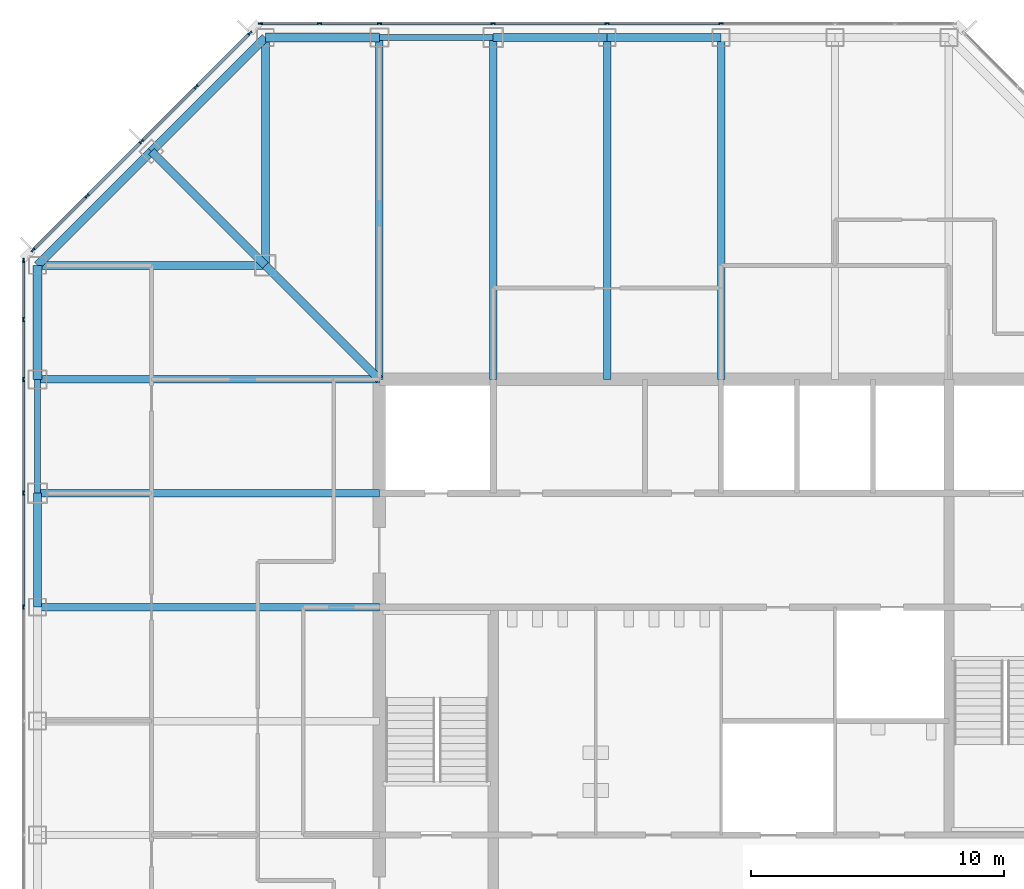
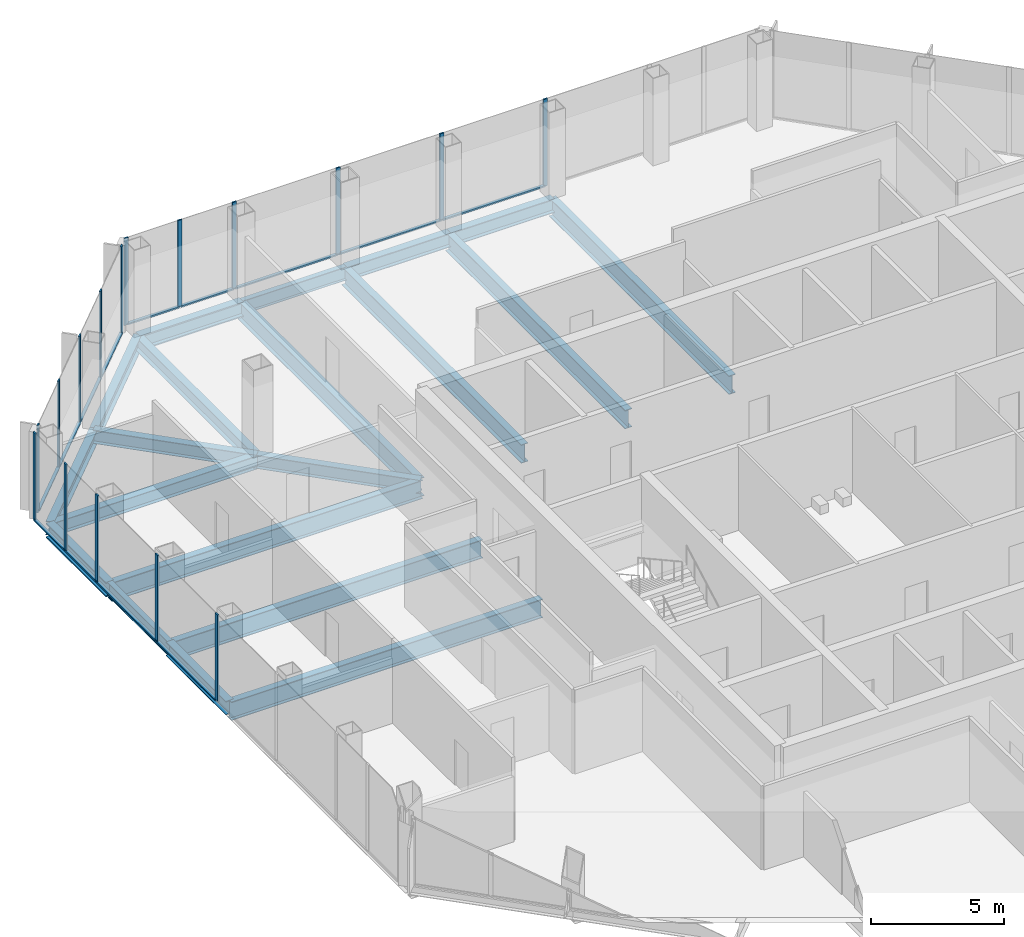
# One storey, part 5 of 13: 29 members, 20 beams, 3 elements without a shape of their own.
"""IFC4 building model written with IfcOpenShell, lengths in metres."""

from ifc_helpers import new_model, si_unit, direction, frame, origin, origin_2d, place, context, subcontext, project, spatial, rectangle, i_section, extrude, material, material_profile, profile_set, type_object, element, aggregate, save


model = new_model("IFC4")

# Units and contexts
model_context = context("Model", 3, precision=1e-05, world=origin(), true_north=direction((0.0, 1.0)))
body_context = subcontext(model_context, "Body", "Model", "MODEL_VIEW")
ifc_project = project(units=[si_unit("LENGTHUNIT", "METRE"), si_unit("AREAUNIT", "SQUARE_METRE"), si_unit("VOLUMEUNIT", "CUBIC_METRE"), si_unit("PLANEANGLEUNIT", "RADIAN"), si_unit("MASSUNIT", "GRAM", prefix="KILO")], contexts=[model_context])

# Site, building, storey
site_placement = place(None, origin())
site = spatial("IfcSite", under=ifc_project, at=site_placement, CompositionType="ELEMENT")
building_placement = place(site_placement, origin())
building = spatial("IfcBuilding", under=site, at=building_placement, Name="Corais Broadcast Tower", CompositionType="ELEMENT")
storey_placement = place(building_placement, frame((0.0, 0.0, 179.60009765625)))
storey = spatial("IfcBuildingStorey", under=building, at=storey_placement, Name="L41", CompositionType="ELEMENT", Elevation=179.60009765625)

# Beams
ifc_material_1 = material(Name="Steel ASTM A572 Grade 50", Category="steel")
ifc_material_profile_1 = material_profile(ifc_material_1, i_section(OverallWidth=0.323974609375, OverallDepth=0.611083984375, WebThickness=0.0126953125, FlangeThickness=0.01904296875, at=origin_2d()), Name="W610x155")
ifc_profile_set_1 = profile_set([ifc_material_profile_1], Name="Steel ASTM A572 Grade 50")
beam_type_1 = type_object("IfcBeamType", Name="Chamfer tie W610x155", PredefinedType="BEAM", material=ifc_profile_set_1)
beam_1_placement = place(storey_placement, frame((4.5, 49.5, -0.465576171875), z_axis=(0.707106781187, -0.707106781187, 0.0), x_axis=(0.707106781187, 0.707106781187, 0.0)))
element("IfcBeam", 1, at=beam_1_placement, inside=storey, type_object=beam_type_1, Name="B5 M/4 to L/5", PredefinedType="BEAM", context=body_context, shape_type="SweptSolid", body=[
    extrude(i_section(OverallWidth=0.323974609375, OverallDepth=0.611083984375, WebThickness=0.0126953125, FlangeThickness=0.01904296875, at=origin_2d()), origin(), (0.0, 0.0, 1.0), 6.364013671875),
])
ifc_material_2 = material(Name="Steel ASTM A572 Grade 50", Category="steel")
ifc_material_profile_2 = material_profile(ifc_material_2, i_section(OverallWidth=0.323974609375, OverallDepth=0.611083984375, WebThickness=0.0126953125, FlangeThickness=0.01904296875, at=origin_2d()), Name="W610x155")
ifc_profile_set_2 = profile_set([ifc_material_profile_2], Name="Steel ASTM A572 Grade 50")
beam_type_2 = type_object("IfcBeamType", Name="Corner diagonal W610x155", PredefinedType="BEAM", material=ifc_profile_set_2)
beam_2_placement = place(storey_placement, frame((9.0, 45.0, -0.465576171875), z_axis=(0.707106781187, -0.707106781187, 0.0), x_axis=(0.707106781187, 0.707106781187, 0.0)))
element("IfcBeam", 2, at=beam_2_placement, inside=storey, type_object=beam_type_2, Name="B6 L/5 to K/6", PredefinedType="BEAM", context=body_context, shape_type="SweptSolid", body=[
    extrude(i_section(OverallWidth=0.323974609375, OverallDepth=0.611083984375, WebThickness=0.0126953125, FlangeThickness=0.01904296875, at=origin_2d()), origin(), (0.0, 0.0, 1.0), 6.364013671875),
])
ifc_material_3 = material(Name="Steel ASTM A572 Grade 50", Category="steel")
ifc_material_profile_3 = material_profile(ifc_material_3, i_section(OverallWidth=0.323974609375, OverallDepth=0.611083984375, WebThickness=0.0126953125, FlangeThickness=0.01904296875, at=origin_2d()), Name="W610x155")
ifc_profile_set_3 = profile_set([ifc_material_profile_3], Name="Steel ASTM A572 Grade 50")
beam_type_3 = type_object("IfcBeamType", Name="Corner girder W610x155", PredefinedType="BEAM", material=ifc_profile_set_3)
for number, where, z_axis, x_axis, name in (
    (3, (0.0, 45.0, -0.465576171875), (1.0, 0.0, 0.0), (0.0, 1.0, 0.0), "B4 L/3 to L/5"),
    (4, (9.0, 54.0, -0.465576171875), (0.0, -1.0, 0.0), (1.0, 0.0, 0.0), "B4 N/5 to L/5"),
):
    element("IfcBeam", number, at=place(storey_placement, frame(where, z_axis=z_axis, x_axis=x_axis)), inside=storey, type_object=beam_type_3, Name=name, PredefinedType="BEAM", context=body_context, shape_type="SweptSolid", body=[
        extrude(i_section(OverallWidth=0.323974609375, OverallDepth=0.611083984375, WebThickness=0.0126953125, FlangeThickness=0.01904296875, at=origin_2d()), origin(), (0.0, 0.0, 1.0), 9.0),
    ])
ifc_material_4 = material(Name="Steel ASTM A572 Grade 50", Category="steel")
ifc_material_profile_4 = material_profile(ifc_material_4, i_section(OverallWidth=0.337890625, OverallDepth=0.677978515625, WebThickness=0.029541015625, FlangeThickness=0.052978515625, at=origin_2d()), Name="W610x415")
ifc_profile_set_4 = profile_set([ifc_material_profile_4], Name="Steel ASTM A572 Grade 50")
beam_type_4 = type_object("IfcBeamType", Name="Corner spandrel W610x415", PredefinedType="BEAM", material=ifc_profile_set_4)
for number, where, z_axis, x_axis, name in (
    (5, (0.0, 45.0, -0.4990234375), (0.0, -1.0, 0.0), (1.0, 0.0, 0.0), "SB10 L/3 to K/3"),
    (6, (13.5, 54.0, -0.4990234375), (-1.0, 0.0, 0.0), (0.0, -1.0, 0.0), "SB10 N/6 to N/5"),
):
    element("IfcBeam", number, at=place(storey_placement, frame(where, z_axis=z_axis, x_axis=x_axis)), inside=storey, type_object=beam_type_4, Name=name, PredefinedType="BEAM", context=body_context, shape_type="SweptSolid", body=[
        extrude(i_section(OverallWidth=0.337890625, OverallDepth=0.677978515625, WebThickness=0.029541015625, FlangeThickness=0.052978515625, at=origin_2d()), origin(), (0.0, 0.0, 1.0), 4.5),
    ])
ifc_material_5 = material(Name="Steel ASTM A572 Grade 50", Category="steel")
ifc_material_profile_5 = material_profile(ifc_material_5, i_section(OverallWidth=0.2939453125, OverallDepth=0.85107421875, WebThickness=0.01611328125, FlangeThickness=0.02685546875, at=origin_2d()), Name="W840x226")
ifc_profile_set_5 = profile_set([ifc_material_profile_5], Name="Steel ASTM A572 Grade 50")
beam_type_5 = type_object("IfcBeamType", Name="Floor beam W840x226", PredefinedType="BEAM", material=ifc_profile_set_5)
for number, where, z_axis, x_axis, name in (
    (7, (0.0, 31.5, -0.585693359375), (1.0, 0.0, 0.0), (0.0, 1.0, 0.0), "B1 H/3 to H/6"),
    (8, (0.0, 36.0, -0.585693359375), (1.0, 0.0, 0.0), (0.0, 1.0, 0.0), "B1 J/3 to J/6"),
    (9, (0.0, 40.5, -0.585693359375), (1.0, 0.0, 0.0), (0.0, 1.0, 0.0), "B1 K/3 to K/6"),
    (10, (13.5, 54.0, -0.585693359375), (0.0, -1.0, 0.0), (1.0, 0.0, 0.0), "B1 N/6 to K/6"),
    (11, (18.0, 54.0, -0.585693359375), (0.0, -1.0, 0.0), (1.0, 0.0, 0.0), "B1 N/7 to K/7"),
    (12, (22.5, 54.0, -0.585693359375), (0.0, -1.0, 0.0), (1.0, 0.0, 0.0), "B1 N/8 to K/8"),
    (13, (27.0, 54.0, -0.585693359375), (0.0, -1.0, 0.0), (1.0, 0.0, 0.0), "B1 N/9 to K/9"),
):
    element("IfcBeam", number, at=place(storey_placement, frame(where, z_axis=z_axis, x_axis=x_axis)), inside=storey, type_object=beam_type_5, Name=name, PredefinedType="BEAM", context=body_context, shape_type="SweptSolid", body=[
        extrude(i_section(OverallWidth=0.2939453125, OverallDepth=0.85107421875, WebThickness=0.01611328125, FlangeThickness=0.02685546875, at=origin_2d()), origin(), (0.0, 0.0, 1.0), 13.5),
    ])

# Curtain wall, members
ifc_material_6 = material(Name="Aluminium and glass", Category="aluminium")
curtain_wall_type = type_object("IfcCurtainWallType", Name="Unitised fritted curtain wall CW2", PredefinedType="NOTDEFINED", material=ifc_material_6)
curtain_wall_1_placement = place(storey_placement, origin())
curtain_wall_1 = element("IfcCurtainWall", 14, at=curtain_wall_1_placement, inside=storey, type_object=curtain_wall_type, Name="CW2 curtain wall L41 2", PredefinedType="NOTDEFINED")
ifc_material_7 = material(Name="Aluminium 6063-T6", Category="aluminium")
ifc_material_profile_6 = material_profile(ifc_material_7, rectangle(XDim=0.06494140625, YDim=0.179931640625, at=origin_2d()), Name="Mullion CW2 65x180")
ifc_profile_set_6 = profile_set([ifc_material_profile_6], Name="Aluminium 6063-T6")
member_type_1 = type_object("IfcMemberType", Name="Mullion CW2 65x180", PredefinedType="MULLION", material=ifc_profile_set_6)
member_1_placement = place(storey_placement, frame((-0.550048828125, 31.5, 0.0), z_axis=(0.0, 0.0, 1.0), x_axis=(-1.0, 0.0, 0.0)))
member_1 = element("IfcMember", 15, at=member_1_placement, type_object=member_type_1, Name="CW2 mullion 5", PredefinedType="MULLION", context=body_context, shape_type="SweptSolid", body=[
    extrude(rectangle(XDim=0.06494140625, YDim=0.179931640625, at=origin_2d()), origin(), (0.0, 0.0, 1.0), 4.0),
])
member_2_placement = place(storey_placement, frame((-0.550048828125, 36.0, 0.0), z_axis=(0.0, 0.0, 1.0), x_axis=(-1.0, 0.0, 0.0)))
member_2 = element("IfcMember", 16, at=member_2_placement, type_object=member_type_1, Name="CW2 mullion 6", PredefinedType="MULLION", context=body_context, shape_type="SweptSolid", body=[
    extrude(rectangle(XDim=0.06494140625, YDim=0.179931640625, at=origin_2d()), origin(), (0.0, 0.0, 1.0), 4.0),
])
member_3_placement = place(storey_placement, frame((-0.550048828125, 40.5, 0.0), z_axis=(0.0, 0.0, 1.0), x_axis=(-1.0, 0.0, 0.0)))
member_3 = element("IfcMember", 17, at=member_3_placement, type_object=member_type_1, Name="CW2 mullion 7", PredefinedType="MULLION", context=body_context, shape_type="SweptSolid", body=[
    extrude(rectangle(XDim=0.06494140625, YDim=0.179931640625, at=origin_2d()), origin(), (0.0, 0.0, 1.0), 4.0),
])
member_4_placement = place(storey_placement, frame((-0.550048828125, 42.864013671875, 0.0), z_axis=(0.0, 0.0, 1.0), x_axis=(-1.0, 0.0, 0.0)))
member_4 = element("IfcMember", 18, at=member_4_placement, type_object=member_type_1, Name="CW2 mullion 8", PredefinedType="MULLION", context=body_context, shape_type="SweptSolid", body=[
    extrude(rectangle(XDim=0.06494140625, YDim=0.179931640625, at=origin_2d()), origin(), (0.0, 0.0, 1.0), 4.0),
])
member_5_placement = place(storey_placement, frame((-0.550048828125, 45.1953125, 0.0), z_axis=(0.0, 0.0, 1.0), x_axis=(-1.0, 0.0, 0.0)))
member_5 = element("IfcMember", 19, at=member_5_placement, type_object=member_type_1, Name="CW2 mullion 9", PredefinedType="MULLION", context=body_context, shape_type="SweptSolid", body=[
    extrude(rectangle(XDim=0.06494140625, YDim=0.179931640625, at=origin_2d()), origin(), (0.0, 0.0, 1.0), 4.0),
])

curtain_wall_2_placement = place(storey_placement, origin())
curtain_wall_2 = element("IfcCurtainWall", 20, at=curtain_wall_2_placement, inside=storey, type_object=curtain_wall_type, Name="CW2 curtain wall L41 3", PredefinedType="NOTDEFINED")
member_6_placement = place(storey_placement, frame((-0.17333984375, 45.6044921875, 0.0), z_axis=(0.0, 0.0, 1.0), x_axis=(-0.707106781187, 0.707106781187, 0.0)))
member_6 = element("IfcMember", 21, at=member_6_placement, type_object=member_type_1, Name="CW2 mullion 1", PredefinedType="MULLION", context=body_context, shape_type="SweptSolid", body=[
    extrude(rectangle(XDim=0.06494140625, YDim=0.179931640625, at=origin_2d()), origin(), (0.0, 0.0, 1.0), 4.0),
])
member_7_placement = place(storey_placement, frame((1.957275390625, 47.735107421875, 0.0), z_axis=(0.0, 0.0, 1.0), x_axis=(-0.707106781187, 0.707106781187, 0.0)))
member_7 = element("IfcMember", 22, at=member_7_placement, type_object=member_type_1, Name="CW2 mullion 2", PredefinedType="MULLION", context=body_context, shape_type="SweptSolid", body=[
    extrude(rectangle(XDim=0.06494140625, YDim=0.179931640625, at=origin_2d()), origin(), (0.0, 0.0, 1.0), 4.0),
])
member_8_placement = place(storey_placement, frame((4.111083984375, 49.888916015625, 0.0), z_axis=(0.0, 0.0, 1.0), x_axis=(-0.707106781187, 0.707106781187, 0.0)))
member_8 = element("IfcMember", 23, at=member_8_placement, type_object=member_type_1, Name="CW2 mullion 3", PredefinedType="MULLION", context=body_context, shape_type="SweptSolid", body=[
    extrude(rectangle(XDim=0.06494140625, YDim=0.179931640625, at=origin_2d()), origin(), (0.0, 0.0, 1.0), 4.0),
])
member_9_placement = place(storey_placement, frame((6.264892578125, 52.042724609375, 0.0), z_axis=(0.0, 0.0, 1.0), x_axis=(-0.707106781187, 0.707106781187, 0.0)))
member_9 = element("IfcMember", 24, at=member_9_placement, type_object=member_type_1, Name="CW2 mullion 4", PredefinedType="MULLION", context=body_context, shape_type="SweptSolid", body=[
    extrude(rectangle(XDim=0.06494140625, YDim=0.179931640625, at=origin_2d()), origin(), (0.0, 0.0, 1.0), 4.0),
])
member_10_placement = place(storey_placement, frame((8.3955078125, 54.17333984375, 0.0), z_axis=(0.0, 0.0, 1.0), x_axis=(-0.707106781187, 0.707106781187, 0.0)))
member_10 = element("IfcMember", 25, at=member_10_placement, type_object=member_type_1, Name="CW2 mullion 5", PredefinedType="MULLION", context=body_context, shape_type="SweptSolid", body=[
    extrude(rectangle(XDim=0.06494140625, YDim=0.179931640625, at=origin_2d()), origin(), (0.0, 0.0, 1.0), 4.0),
])

curtain_wall_3_placement = place(storey_placement, origin())
curtain_wall_3 = element("IfcCurtainWall", 26, at=curtain_wall_3_placement, inside=storey, type_object=curtain_wall_type, Name="CW2 curtain wall L41 4", PredefinedType="NOTDEFINED")
member_11_placement = place(storey_placement, frame((8.8046875, 54.550048828125, 0.0), z_axis=(0.0, 0.0, 1.0), x_axis=(0.0, 1.0, 0.0)))
member_11 = element("IfcMember", 27, at=member_11_placement, type_object=member_type_1, Name="CW2 mullion 1", PredefinedType="MULLION", context=body_context, shape_type="SweptSolid", body=[
    extrude(rectangle(XDim=0.06494140625, YDim=0.179931640625, at=origin_2d()), origin(), (0.0, 0.0, 1.0), 4.0),
])
member_12_placement = place(storey_placement, frame((11.135986328125, 54.550048828125, 0.0), z_axis=(0.0, 0.0, 1.0), x_axis=(0.0, 1.0, 0.0)))
member_12 = element("IfcMember", 28, at=member_12_placement, type_object=member_type_1, Name="CW2 mullion 2", PredefinedType="MULLION", context=body_context, shape_type="SweptSolid", body=[
    extrude(rectangle(XDim=0.06494140625, YDim=0.179931640625, at=origin_2d()), origin(), (0.0, 0.0, 1.0), 4.0),
])
member_13_placement = place(storey_placement, frame((13.5, 54.550048828125, 0.0), z_axis=(0.0, 0.0, 1.0), x_axis=(0.0, 1.0, 0.0)))
member_13 = element("IfcMember", 29, at=member_13_placement, type_object=member_type_1, Name="CW2 mullion 3", PredefinedType="MULLION", context=body_context, shape_type="SweptSolid", body=[
    extrude(rectangle(XDim=0.06494140625, YDim=0.179931640625, at=origin_2d()), origin(), (0.0, 0.0, 1.0), 4.0),
])
member_14_placement = place(storey_placement, frame((18.0, 54.550048828125, 0.0), z_axis=(0.0, 0.0, 1.0), x_axis=(0.0, 1.0, 0.0)))
member_14 = element("IfcMember", 30, at=member_14_placement, type_object=member_type_1, Name="CW2 mullion 4", PredefinedType="MULLION", context=body_context, shape_type="SweptSolid", body=[
    extrude(rectangle(XDim=0.06494140625, YDim=0.179931640625, at=origin_2d()), origin(), (0.0, 0.0, 1.0), 4.0),
])
member_15_placement = place(storey_placement, frame((22.5, 54.550048828125, 0.0), z_axis=(0.0, 0.0, 1.0), x_axis=(0.0, 1.0, 0.0)))
member_15 = element("IfcMember", 31, at=member_15_placement, type_object=member_type_1, Name="CW2 mullion 5", PredefinedType="MULLION", context=body_context, shape_type="SweptSolid", body=[
    extrude(rectangle(XDim=0.06494140625, YDim=0.179931640625, at=origin_2d()), origin(), (0.0, 0.0, 1.0), 4.0),
])
member_16_placement = place(storey_placement, frame((27.0, 54.550048828125, 0.0), z_axis=(0.0, 0.0, 1.0), x_axis=(0.0, 1.0, 0.0)))
member_16 = element("IfcMember", 32, at=member_16_placement, type_object=member_type_1, Name="CW2 mullion 6", PredefinedType="MULLION", context=body_context, shape_type="SweptSolid", body=[
    extrude(rectangle(XDim=0.06494140625, YDim=0.179931640625, at=origin_2d()), origin(), (0.0, 0.0, 1.0), 4.0),
])

# Beams
ifc_material_8 = material(Name="Steel ASTM A572 Grade 50", Category="steel")
ifc_material_profile_7 = material_profile(ifc_material_8, i_section(OverallWidth=0.22900390625, OverallDepth=0.612060546875, WebThickness=0.011962890625, FlangeThickness=0.01953125, at=origin_2d()), Name="W610x125")
ifc_profile_set_7 = profile_set([ifc_material_profile_7], Name="Steel ASTM A572 Grade 50")
beam_type_6 = type_object("IfcBeamType", Name="Pinned spandrel W610x125", PredefinedType="BEAM", material=ifc_profile_set_7)
for number, where, z_axis, x_axis, name in (
    (33, (0.0, 40.5, -0.466064453125), (0.0, -1.0, 0.0), (1.0, 0.0, 0.0), "SB7 K/3 to J/3"),
    (34, (18.0, 54.0, -0.466064453125), (-1.0, 0.0, 0.0), (0.0, -1.0, 0.0), "SB7 N/7 to N/6"),
):
    element("IfcBeam", number, at=place(storey_placement, frame(where, z_axis=z_axis, x_axis=x_axis)), inside=storey, type_object=beam_type_6, Name=name, PredefinedType="BEAM", context=body_context, shape_type="SweptSolid", body=[
        extrude(i_section(OverallWidth=0.22900390625, OverallDepth=0.612060546875, WebThickness=0.011962890625, FlangeThickness=0.01953125, at=origin_2d()), origin(), (0.0, 0.0, 1.0), 4.5),
    ])
ifc_material_9 = material(Name="Steel ASTM A572 Grade 50", Category="steel")
ifc_material_profile_8 = material_profile(ifc_material_9, i_section(OverallWidth=0.3291015625, OverallDepth=0.635009765625, WebThickness=0.017822265625, FlangeThickness=0.031005859375, at=origin_2d()), Name="W610x241")
ifc_profile_set_8 = profile_set([ifc_material_profile_8], Name="Steel ASTM A572 Grade 50")
beam_type_7 = type_object("IfcBeamType", Name="Spandrel W610x241", PredefinedType="BEAM", material=ifc_profile_set_8)
for number, where, z_axis, x_axis, name in (
    (35, (0.0, 36.0, -0.4775390625), (0.0, -1.0, 0.0), (1.0, 0.0, 0.0), "SB1 J/3 to H/3"),
    (36, (22.5, 54.0, -0.4775390625), (-1.0, 0.0, 0.0), (0.0, -1.0, 0.0), "SB1 N/8 to N/7"),
    (37, (27.0, 54.0, -0.4775390625), (-1.0, 0.0, 0.0), (0.0, -1.0, 0.0), "SB1 N/9 to N/8"),
):
    element("IfcBeam", number, at=place(storey_placement, frame(where, z_axis=z_axis, x_axis=x_axis)), inside=storey, type_object=beam_type_7, Name=name, PredefinedType="BEAM", context=body_context, shape_type="SweptSolid", body=[
        extrude(i_section(OverallWidth=0.3291015625, OverallDepth=0.635009765625, WebThickness=0.017822265625, FlangeThickness=0.031005859375, at=origin_2d()), origin(), (0.0, 0.0, 1.0), 4.5),
    ])
for number, where, z_axis, x_axis, name in (
    (38, (4.5, 49.5, -0.4775390625), (-0.707106781187, -0.707106781187, 0.0), (0.707106781187, -0.707106781187, 0.0), "SB1 M/4 to L/3"),
    (39, (9.0, 54.0, -0.4775390625), (-0.707106781187, -0.707106781187, 0.0), (0.707106781187, -0.707106781187, 0.0), "SB1 N/5 to M/4"),
):
    element("IfcBeam", number, at=place(storey_placement, frame(where, z_axis=z_axis, x_axis=x_axis)), inside=storey, type_object=beam_type_7, Name=name, PredefinedType="BEAM", context=body_context, shape_type="SweptSolid", body=[
        extrude(i_section(OverallWidth=0.3291015625, OverallDepth=0.635009765625, WebThickness=0.017822265625, FlangeThickness=0.031005859375, at=origin_2d()), origin(), (0.0, 0.0, 1.0), 6.364013671875),
    ])

# Member
ifc_material_10 = material(Name="Aluminium 6063-T6", Category="aluminium")
ifc_material_profile_9 = material_profile(ifc_material_10, rectangle(XDim=0.1298828125, YDim=0.06494140625, at=origin_2d()), Name="Transom CW2 65x130")
ifc_profile_set_9 = profile_set([ifc_material_profile_9], Name="Aluminium 6063-T6")
member_type_2 = type_object("IfcMemberType", Name="Transom CW2 65x130", PredefinedType="USERDEFINED", material=ifc_profile_set_9)
member_17_placement = place(storey_placement, frame((-0.550048828125, 31.532470703125, 0.032470703125), z_axis=(0.0, 1.0, 0.0), x_axis=(-1.0, 0.0, 0.0)))
member_17 = element("IfcMember", 40, at=member_17_placement, type_object=member_type_2, Name="CW2 transom 5.1", ObjectType="TRANSOM", PredefinedType="USERDEFINED", context=body_context, shape_type="SweptSolid", body=[
    extrude(rectangle(XDim=0.1298828125, YDim=0.06494140625, at=origin_2d()), origin(), (0.0, 0.0, 1.0), 4.43505859375),
])

member_18_placement = place(storey_placement, frame((-0.550048828125, 36.032470703125, 0.032470703125), z_axis=(0.0, 1.0, 0.0), x_axis=(-1.0, 0.0, 0.0)))
member_18 = element("IfcMember", 41, at=member_18_placement, type_object=member_type_2, Name="CW2 transom 6.1", ObjectType="TRANSOM", PredefinedType="USERDEFINED", context=body_context, shape_type="SweptSolid", body=[
    extrude(rectangle(XDim=0.1298828125, YDim=0.06494140625, at=origin_2d()), origin(), (0.0, 0.0, 1.0), 4.43505859375),
])

member_19_placement = place(storey_placement, frame((-0.550048828125, 40.532470703125, 0.032470703125), z_axis=(0.0, 1.0, 0.0), x_axis=(-1.0, 0.0, 0.0)))
member_19 = element("IfcMember", 42, at=member_19_placement, type_object=member_type_2, Name="CW2 transom 7.1", ObjectType="TRANSOM", PredefinedType="USERDEFINED", context=body_context, shape_type="SweptSolid", body=[
    extrude(rectangle(XDim=0.1298828125, YDim=0.06494140625, at=origin_2d()), origin(), (0.0, 0.0, 1.0), 2.298828125),
])

member_20_placement = place(storey_placement, frame((-0.550048828125, 42.896484375, 0.032470703125), z_axis=(0.0, 1.0, 0.0), x_axis=(-1.0, 0.0, 0.0)))
member_20 = element("IfcMember", 43, at=member_20_placement, type_object=member_type_2, Name="CW2 transom 8.1", ObjectType="TRANSOM", PredefinedType="USERDEFINED", context=body_context, shape_type="SweptSolid", body=[
    extrude(rectangle(XDim=0.1298828125, YDim=0.06494140625, at=origin_2d()), origin(), (0.0, 0.0, 1.0), 2.266357421875),
])

aggregate(curtain_wall_1, [member_1, member_2, member_3, member_4, member_5, member_17, member_18, member_19, member_20])

member_21_placement = place(storey_placement, frame((-0.150390625, 45.62744140625, 0.032470703125), z_axis=(0.707106781187, 0.707106781187, 0.0), x_axis=(-0.707106781187, 0.707106781187, 0.0)))
member_21 = element("IfcMember", 44, at=member_21_placement, type_object=member_type_2, Name="CW2 transom 1.1", ObjectType="TRANSOM", PredefinedType="USERDEFINED", context=body_context, shape_type="SweptSolid", body=[
    extrude(rectangle(XDim=0.1298828125, YDim=0.06494140625, at=origin_2d()), origin(), (0.0, 0.0, 1.0), 2.9482421875),
])

member_22_placement = place(storey_placement, frame((1.980224609375, 47.758056640625, 0.032470703125), z_axis=(0.707106781187, 0.707106781187, 0.0), x_axis=(-0.707106781187, 0.707106781187, 0.0)))
member_22 = element("IfcMember", 45, at=member_22_placement, type_object=member_type_2, Name="CW2 transom 2.1", ObjectType="TRANSOM", PredefinedType="USERDEFINED", context=body_context, shape_type="SweptSolid", body=[
    extrude(rectangle(XDim=0.1298828125, YDim=0.06494140625, at=origin_2d()), origin(), (0.0, 0.0, 1.0), 2.98095703125),
])

member_23_placement = place(storey_placement, frame((4.134033203125, 49.911865234375, 0.032470703125), z_axis=(0.707106781187, 0.707106781187, 0.0), x_axis=(-0.707106781187, 0.707106781187, 0.0)))
member_23 = element("IfcMember", 46, at=member_23_placement, type_object=member_type_2, Name="CW2 transom 3.1", ObjectType="TRANSOM", PredefinedType="USERDEFINED", context=body_context, shape_type="SweptSolid", body=[
    extrude(rectangle(XDim=0.1298828125, YDim=0.06494140625, at=origin_2d()), origin(), (0.0, 0.0, 1.0), 2.98095703125),
])

member_24_placement = place(storey_placement, frame((6.287841796875, 52.065673828125, 0.032470703125), z_axis=(0.707106781187, 0.707106781187, 0.0), x_axis=(-0.707106781187, 0.707106781187, 0.0)))
member_24 = element("IfcMember", 47, at=member_24_placement, type_object=member_type_2, Name="CW2 transom 4.1", ObjectType="TRANSOM", PredefinedType="USERDEFINED", context=body_context, shape_type="SweptSolid", body=[
    extrude(rectangle(XDim=0.1298828125, YDim=0.06494140625, at=origin_2d()), origin(), (0.0, 0.0, 1.0), 2.9482421875),
])

aggregate(curtain_wall_2, [member_6, member_7, member_8, member_9, member_10, member_21, member_22, member_23, member_24])

member_25_placement = place(storey_placement, frame((8.837158203125, 54.550048828125, 0.032470703125), z_axis=(1.0, 0.0, 0.0), x_axis=(0.0, 1.0, 0.0)))
member_25 = element("IfcMember", 48, at=member_25_placement, type_object=member_type_2, Name="CW2 transom 1.1", ObjectType="TRANSOM", PredefinedType="USERDEFINED", context=body_context, shape_type="SweptSolid", body=[
    extrude(rectangle(XDim=0.1298828125, YDim=0.06494140625, at=origin_2d()), origin(), (0.0, 0.0, 1.0), 2.266357421875),
])

member_26_placement = place(storey_placement, frame((11.168701171875, 54.550048828125, 0.032470703125), z_axis=(1.0, 0.0, 0.0), x_axis=(0.0, 1.0, 0.0)))
member_26 = element("IfcMember", 49, at=member_26_placement, type_object=member_type_2, Name="CW2 transom 2.1", ObjectType="TRANSOM", PredefinedType="USERDEFINED", context=body_context, shape_type="SweptSolid", body=[
    extrude(rectangle(XDim=0.1298828125, YDim=0.06494140625, at=origin_2d()), origin(), (0.0, 0.0, 1.0), 2.298828125),
])

member_27_placement = place(storey_placement, frame((13.532470703125, 54.550048828125, 0.032470703125), z_axis=(1.0, 0.0, 0.0), x_axis=(0.0, 1.0, 0.0)))
member_27 = element("IfcMember", 50, at=member_27_placement, type_object=member_type_2, Name="CW2 transom 3.1", ObjectType="TRANSOM", PredefinedType="USERDEFINED", context=body_context, shape_type="SweptSolid", body=[
    extrude(rectangle(XDim=0.1298828125, YDim=0.06494140625, at=origin_2d()), origin(), (0.0, 0.0, 1.0), 4.43505859375),
])

member_28_placement = place(storey_placement, frame((18.032470703125, 54.550048828125, 0.032470703125), z_axis=(1.0, 0.0, 0.0), x_axis=(0.0, 1.0, 0.0)))
member_28 = element("IfcMember", 51, at=member_28_placement, type_object=member_type_2, Name="CW2 transom 4.1", ObjectType="TRANSOM", PredefinedType="USERDEFINED", context=body_context, shape_type="SweptSolid", body=[
    extrude(rectangle(XDim=0.1298828125, YDim=0.06494140625, at=origin_2d()), origin(), (0.0, 0.0, 1.0), 4.43505859375),
])

member_29_placement = place(storey_placement, frame((22.532470703125, 54.550048828125, 0.032470703125), z_axis=(1.0, 0.0, 0.0), x_axis=(0.0, 1.0, 0.0)))
member_29 = element("IfcMember", 52, at=member_29_placement, type_object=member_type_2, Name="CW2 transom 5.1", ObjectType="TRANSOM", PredefinedType="USERDEFINED", context=body_context, shape_type="SweptSolid", body=[
    extrude(rectangle(XDim=0.1298828125, YDim=0.06494140625, at=origin_2d()), origin(), (0.0, 0.0, 1.0), 4.43505859375),
])

aggregate(curtain_wall_3, [member_11, member_12, member_13, member_14, member_15, member_16, member_25, member_26, member_27, member_28, member_29])

save(model, "model.ifc")
